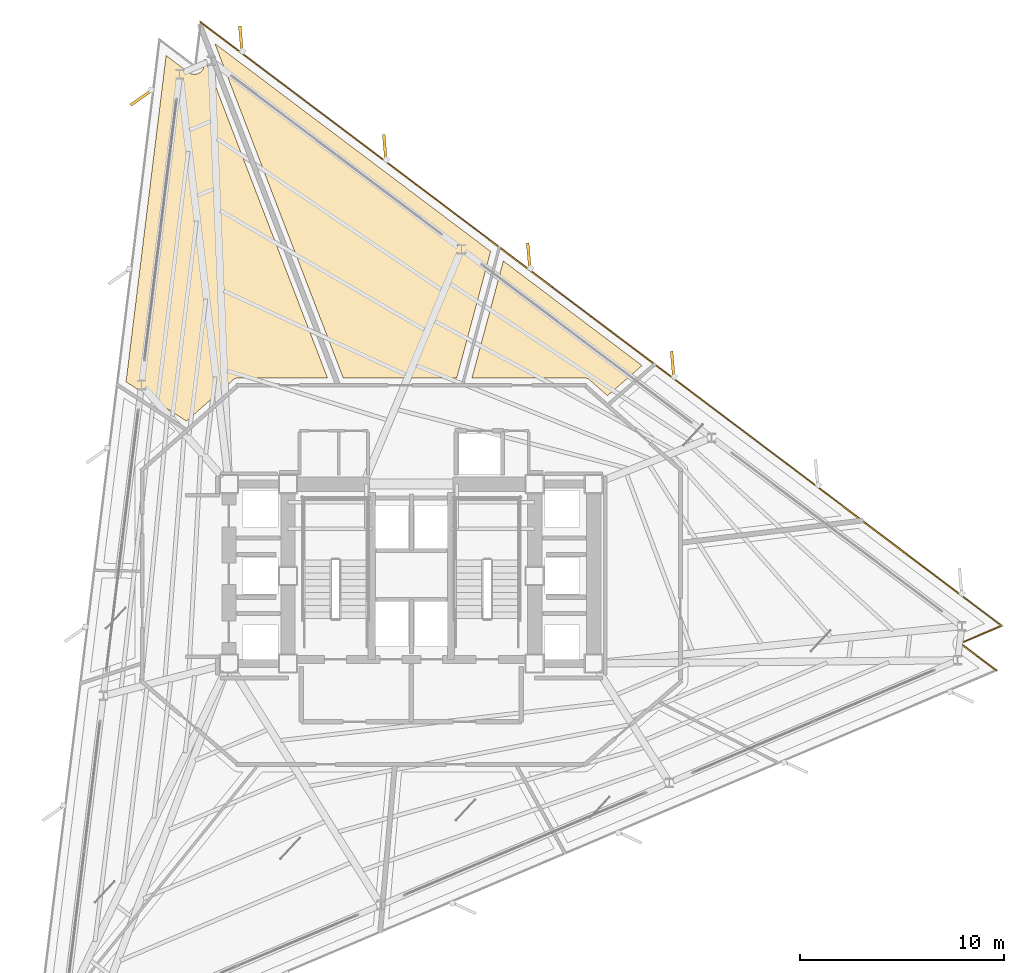
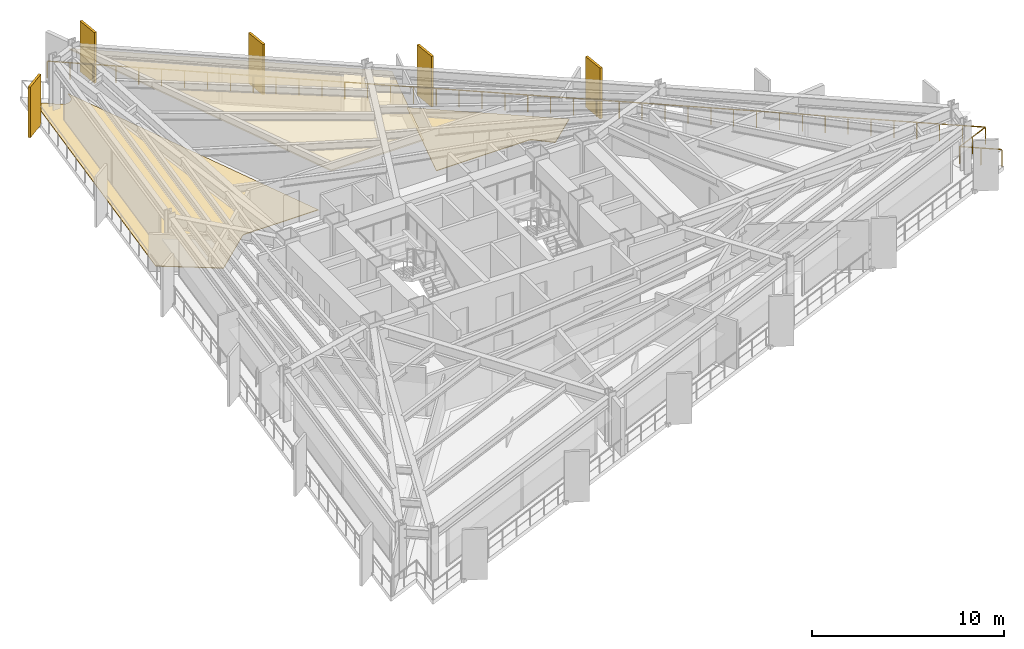
# One storey, part 13 of 13: 5 shading devices, 3 coverings, 1 railing.
"""IFC4 building model written with IfcOpenShell, lengths in metres."""

import ifcopenshell
import ifcopenshell.guid

model = None  # the IFC model being written
_history = None  # IfcOwnerHistory: only IFC2X3 demands one
_inside = {}  # id of a spatial element -> (the spatial element, [elements in it])
_under = {}  # id of a project, library or spatial element -> (it, [spatial elements below it])
_declared = {}  # id of a project -> (the project, [libraries it declares])
_typed = {}  # id of a type object -> (the type object, [elements of that type])
_made_of = {}  # id of a material, layer set ... -> (it, [elements and type objects made of it])


def new_model(schema):
    """Start an empty IFC model of exactly this schema.

    Asked for "IFC4X3", IfcOpenShell would pick the latest addendum, in which some entities
    have other attributes; the version numbers below select the first issue.
    IFC2X3 requires an IfcOwnerHistory on every rooted entity: one is made here for all.
    """
    global model, _history
    if schema == "IFC4X3":
        model = ifcopenshell.file(schema_version=(4, 3, 0, 0))
    else:
        model = ifcopenshell.file(schema=schema)
    _inside.clear()
    _under.clear()
    _declared.clear()
    _typed.clear()
    _made_of.clear()
    _history = None
    if model.schema == "IFC2X3":
        org = make("IfcOrganization", Name="unknown")
        user = make(
            "IfcPersonAndOrganization",
            ThePerson=make("IfcPerson", FamilyName="unknown"),
            TheOrganization=org,
        )
        app = make(
            "IfcApplication",
            ApplicationDeveloper=org,
            Version="unknown",
            ApplicationFullName="unknown",
            ApplicationIdentifier="unknown",
        )
        _history = make(
            "IfcOwnerHistory",
            OwningUser=user,
            OwningApplication=app,
            ChangeAction="ADDED",
            CreationDate=0,
        )
    return model


def make(cls, **values):
    """One entity of the class cls with the attributes given. An attribute that is None is left unset."""
    return model.create_entity(
        cls, **{name: value for name, value in values.items() if value is not None}
    )


def rooted(cls, **values):
    """An entity with a GlobalId (a new one), such as an element, a storey or a relation."""
    return make(cls, GlobalId=ifcopenshell.guid.new(), OwnerHistory=_history, **values)


def si_unit(unit_type, name, prefix=None):
    """IfcSIUnit, for example si_unit("LENGTHUNIT", "METRE", prefix="MILLI")."""
    return make("IfcSIUnit", UnitType=unit_type, Prefix=prefix, Name=name)


def assignment(units):
    """IfcUnitAssignment: the units of a project."""
    return None if units is None else make("IfcUnitAssignment", Units=units)


def point(xyz):
    """IfcCartesianPoint."""
    return None if xyz is None else make("IfcCartesianPoint", Coordinates=xyz)


def direction(xyz):
    """IfcDirection."""
    return None if xyz is None else make("IfcDirection", DirectionRatios=xyz)


def frame(location, z_axis=None, x_axis=None):
    """IfcAxis2Placement3D, a coordinate frame: its origin and axes. An axis left out is left unset."""
    return make(
        "IfcAxis2Placement3D",
        Location=point(location),
        Axis=direction(z_axis),
        RefDirection=direction(x_axis),
    )


def frame_2d(location, x_axis=None):
    """IfcAxis2Placement2D, a coordinate frame in the plane: its origin and x axis."""
    return make(
        "IfcAxis2Placement2D", Location=point(location), RefDirection=direction(x_axis)
    )


def origin():
    """The frame at (0, 0, 0) with its axes left unset."""
    return frame((0.0, 0.0, 0.0))


def origin_2d():
    """The frame at (0, 0) in the plane with its x axis left unset."""
    return frame_2d((0.0, 0.0))


def place(relative_to, where):
    """IfcLocalPlacement: puts the frame where relative to a parent placement (None: the world)."""
    return make(
        "IfcLocalPlacement", PlacementRelTo=relative_to, RelativePlacement=where
    )


def context(
    kind, dimensions, precision=None, world=None, true_north=None, identifier=None
):
    """IfcGeometricRepresentationContext, for example the 3D "Model" context."""
    return make(
        "IfcGeometricRepresentationContext",
        ContextIdentifier=identifier,
        ContextType=kind,
        CoordinateSpaceDimension=dimensions,
        Precision=precision,
        WorldCoordinateSystem=world,
        TrueNorth=true_north,
    )


def subcontext(parent, identifier, kind, view, scale=None):
    """IfcGeometricRepresentationSubContext, for example "Body" below "Model"."""
    return make(
        "IfcGeometricRepresentationSubContext",
        ContextIdentifier=identifier,
        ContextType=kind,
        ParentContext=parent,
        TargetScale=scale,
        TargetView=view,
    )


def project(units=None, contexts=None):
    """IfcProject with its units and contexts."""
    return rooted(
        "IfcProject",
        Name="project",
        RepresentationContexts=contexts,
        UnitsInContext=assignment(units),
    )


def spatial(cls, under=None, at=None, **own):
    """A site, building, storey or space (cls), placed at a placement, below another one or the project."""
    s = rooted(cls, ObjectPlacement=at, **own)
    if under is not None:
        _under.setdefault(under.id(), (under, []))[1].append(s)
    return s


def polyline(points):
    """IfcPolyline through the points."""
    return make("IfcPolyline", Points=[point(p) for p in points])


def profile(cls, at=None, kind="AREA", **sizes):
    """A parametric profile (cls). Its sizes go by their IFC names, for example OverallWidth=200.0."""
    return make(cls, ProfileType=kind, Position=at, **sizes)


def rectangle(**sizes):
    """IfcRectangleProfileDef."""
    return profile("IfcRectangleProfileDef", **sizes)


def outline(outer, holes=None, kind="AREA"):
    """IfcArbitraryClosedProfileDef: a profile drawn as a closed curve; with holes, ...WithVoids."""
    if holes is None:
        return make("IfcArbitraryClosedProfileDef", ProfileType=kind, OuterCurve=outer)
    return make(
        "IfcArbitraryProfileDefWithVoids",
        ProfileType=kind,
        OuterCurve=outer,
        InnerCurves=holes,
    )


def extrude(swept, where, along, depth):
    """IfcExtrudedAreaSolid: the profile swept, set in the frame where, extruded along a direction by depth."""
    return make(
        "IfcExtrudedAreaSolid",
        SweptArea=swept,
        Position=where,
        ExtrudedDirection=direction(along),
        Depth=depth,
    )


def shape(context_of_items, identifier, shape_type, items):
    """IfcShapeRepresentation: the items that make up one representation, for example the "Body"."""
    return make(
        "IfcShapeRepresentation",
        ContextOfItems=context_of_items,
        RepresentationIdentifier=identifier,
        RepresentationType=shape_type,
        Items=items,
    )


def material(Name=None, Category=None):
    """IfcMaterial."""
    return make("IfcMaterial", Name=Name, Category=Category)


def layer(
    of_material, thickness, ventilated=None, Name=None, Category=None, Priority=None
):
    """IfcMaterialLayer: one layer of a wall or slab, of a material (None: an air gap)."""
    return make(
        "IfcMaterialLayer",
        Material=of_material,
        LayerThickness=thickness,
        IsVentilated=ventilated,
        Name=Name,
        Category=Category,
        Priority=Priority,
    )


def layer_set(layers, Name=None):
    """IfcMaterialLayerSet."""
    return make("IfcMaterialLayerSet", MaterialLayers=layers, LayerSetName=Name)


def made_of(thing, what):
    """Note that an element or type object is made of a material, layer set ...; save() writes the relation."""
    if what is not None:
        _made_of.setdefault(what.id(), (what, []))[1].append(thing)
    return thing


def type_object(cls, material=None, **own):
    """A type object (cls), such as IfcWallType, which elements share."""
    return made_of(rooted(cls, **own), material)


def element(
    cls,
    number,
    at=None,
    inside=None,
    cuts=None,
    type_object=None,
    material=None,
    context=None,
    identifier="Body",
    shape_type=None,
    held_by="IfcProductDefinitionShape",
    body=None,
    shapes=None,
    **own,
):
    """One element of the class cls, such as IfcWall. Its Tag is "e" and its number.

    at: its placement. inside: the storey or other place that contains it. cuts: it is an
    opening in that element (IfcRelVoidsElement). A single representation is given by context,
    identifier, shape_type and body (its items); several are given by shapes. held_by: the class
    of the entity that holds the representations. save() writes the other relations.
    """
    e = rooted(cls, Tag="e%d" % number, ObjectPlacement=at, **own)
    if body is not None:
        shapes = [shape(context, identifier, shape_type, body)]
    if shapes is not None:
        e.Representation = make(held_by, Representations=shapes)
    if inside is not None:
        _inside.setdefault(inside.id(), (inside, []))[1].append(e)
    if cuts is not None:
        rooted(
            "IfcRelVoidsElement", RelatingBuildingElement=cuts, RelatedOpeningElement=e
        )
    if type_object is not None:
        _typed.setdefault(type_object.id(), (type_object, []))[1].append(e)
    return made_of(e, material)


def aggregate(whole, parts):
    """IfcRelAggregates: a whole, such as a stair, and the parts it consists of."""
    return rooted("IfcRelAggregates", RelatingObject=whole, RelatedObjects=parts)


def save(model, path):
    """Write the relations noted so far, then the file.

    IfcRelAggregates (storeys below a building ...), IfcRelContainedInSpatialStructure (elements
    in a storey), IfcRelDefinesByType, IfcRelAssociatesMaterial and IfcRelDeclares: one each for
    every whole, place, type object, material and project.
    """
    for whole, parts in _under.values():
        aggregate(whole, parts)
    for where, things in _inside.values():
        rooted(
            "IfcRelContainedInSpatialStructure",
            RelatedElements=things,
            RelatingStructure=where,
        )
    for kind, things in _typed.values():
        rooted("IfcRelDefinesByType", RelatedObjects=things, RelatingType=kind)
    for what, things in _made_of.values():
        rooted("IfcRelAssociatesMaterial", RelatedObjects=things, RelatingMaterial=what)
    for by, libraries in _declared.values():
        rooted("IfcRelDeclares", RelatingContext=by, RelatedDefinitions=libraries)
    model.write(path)


model = new_model("IFC4")

# Units and contexts
model_context = context("Model", 3, precision=1e-05, world=origin(), true_north=direction((0.0, 1.0)))
body_context = subcontext(model_context, "Body", "Model", "MODEL_VIEW")
ifc_project = project(units=[si_unit("LENGTHUNIT", "METRE"), si_unit("AREAUNIT", "SQUARE_METRE"), si_unit("VOLUMEUNIT", "CUBIC_METRE"), si_unit("PLANEANGLEUNIT", "RADIAN"), si_unit("MASSUNIT", "GRAM", prefix="KILO")], contexts=[model_context])

# Site, building, storey
site_placement = place(None, origin())
site = spatial("IfcSite", under=ifc_project, at=site_placement, CompositionType="ELEMENT")
building_placement = place(site_placement, origin())
building = spatial("IfcBuilding", under=site, at=building_placement, Name="Rocaltana Carrier Exchange", CompositionType="ELEMENT")
storey_placement = place(building_placement, frame((0.0, 0.0, 59.679931640625)))
storey = spatial("IfcBuildingStorey", under=building, at=storey_placement, Name="L18", CompositionType="ELEMENT", Elevation=59.679931640625)

# Coverings
ifc_material_1 = material(Name="Honed Bogota Sandstone Tile", Category="masonry")
ifc_layer_1 = layer(ifc_material_1, 0.0400390625)
ifc_layer_set_1 = layer_set([ifc_layer_1], Name="Honed Bogota Sandstone Tile")
covering_type_1 = type_object("IfcCoveringType", Name="Honed Stone Lobby Flooring 40", PredefinedType="FLOORING", material=ifc_layer_set_1)
covering_1_placement = place(storey_placement, origin())
element("IfcCovering", 1, at=covering_1_placement, inside=storey, type_object=covering_type_1, Name="L18 Quiet Focus Lounge Finish Floor", PredefinedType="FLOORING", context=body_context, shape_type="SweptSolid", body=[
    extrude(outline(polyline([(11.31884765625, 10.31640625), (9.62109375, 8.84033203125), (8.73828125, 9.619873046875), (8.727294921875, 9.629150390625), (8.720703125, 9.63427734375), (8.697265625, 9.651123046875), (8.690185546875, 9.655517578125), (8.6650390625, 9.669921875), (8.65771484375, 9.673583984375), (8.631103515625, 9.68505859375), (8.62353515625, 9.68798828125), (8.595947265625, 9.697021484375), (8.587890625, 9.698974609375), (8.5595703125, 9.704833984375), (8.551513671875, 9.706298828125), (8.522705078125, 9.709228515625), (8.514404296875, 9.709716796875), (8.5, 9.7099609375), (2.974609375, 9.7099609375), (4.511474609375, 15.44580078125), (11.31884765625, 10.31640625)])), origin(), (0.0, 0.0, 1.0), 0.0400390625),
])
covering_2_placement = place(storey_placement, origin())
element("IfcCovering", 2, at=covering_2_placement, inside=storey, type_object=covering_type_1, Name="L18 Client Reception Foyer Finish Floor", PredefinedType="FLOORING", context=body_context, shape_type="SweptSolid", body=[
    extrude(outline(polyline([(-12.02978515625, 25.52490234375), (-10.936767578125, 24.701416015625), (-10.92529296875, 24.693115234375), (-10.90869140625, 24.681884765625), (-10.885009765625, 24.66748046875), (-10.867431640625, 24.657958984375), (-10.84228515625, 24.64599609375), (-10.823974609375, 24.63818359375), (-10.797607421875, 24.628662109375), (-10.778564453125, 24.622802734375), (-10.75146484375, 24.6162109375), (-10.73193359375, 24.6123046875), (-10.704345703125, 24.608154296875), (-10.6845703125, 24.606201171875), (-10.656494140625, 24.604736328125), (-10.63671875, 24.60498046875), (-10.60888671875, 24.606201171875), (-10.5888671875, 24.6083984375), (-10.561279296875, 24.612548828125), (-10.541748046875, 24.61669921875), (-10.514892578125, 24.62353515625), (-10.49560546875, 24.62939453125), (-10.469482421875, 24.63916015625), (-10.451171875, 24.64697265625), (-10.426025390625, 24.6591796875), (-10.40869140625, 24.668701171875), (-10.384765625, 24.683349609375), (-10.368408203125, 24.694580078125), (-10.34619140625, 24.71142578125), (-10.330810546875, 24.724365234375), (-10.310546875, 24.743408203125), (-10.296630859375, 24.757568359375), (-10.2783203125, 24.778564453125), (-10.265869140625, 24.794189453125), (-10.24951171875, 24.81689453125), (-10.23876953125, 24.833740234375), (-10.224853515625, 24.85791015625), (-10.2158203125, 24.875732421875), (-10.204345703125, 24.901123046875), (-10.197265625, 24.919677734375), (-10.188232421875, 24.9462890625), (-10.18310546875, 24.96533203125), (-10.1767578125, 24.99267578125), (-10.17333984375, 25.01220703125), (-10.17138671875, 25.026123046875), (-10.1279296875, 25.379638671875), (-4.11279296875, 9.7099609375), (-8.5, 9.7099609375), (-8.514404296875, 9.709716796875), (-8.522705078125, 9.709228515625), (-8.551513671875, 9.706298828125), (-8.5595703125, 9.704833984375), (-8.587890625, 9.698974609375), (-8.595947265625, 9.697021484375), (-8.62353515625, 9.68798828125), (-8.631103515625, 9.68505859375), (-8.65771484375, 9.673583984375), (-8.6650390625, 9.669921875), (-8.690185546875, 9.655517578125), (-8.697265625, 9.651123046875), (-8.720703125, 9.63427734375), (-8.727294921875, 9.629150390625), (-8.73828125, 9.619873046875), (-11.03271484375, 7.593994140625), (-13.9951171875, 9.517822265625), (-12.02978515625, 25.52490234375)])), origin(), (0.0, 0.0, 1.0), 0.0400390625),
])
ifc_material_2 = material(Name="Anodised Aluminium 6063-T6", Category="aluminium")
ifc_layer_2 = layer(ifc_material_2, 0.0849609375)
ifc_layer_set_2 = layer_set([ifc_layer_2], Name="Anodised Aluminium 6063-T6")
covering_type_2 = type_object("IfcCoveringType", Name="Linear Baffle Acoustic Ceiling 85", PredefinedType="CEILING", material=ifc_layer_set_2)
covering_3_placement = place(storey_placement, frame((0.0, 0.0, 2.203125)))
element("IfcCovering", 3, at=covering_3_placement, inside=storey, type_object=covering_type_2, Name="L18 Carrier Peering Suite Acoustic Ceiling", PredefinedType="CEILING", context=body_context, shape_type="SweptSolid", body=[
    extrude(outline(polyline([(-9.6357421875, 26.106689453125), (3.89111328125, 15.913330078125), (2.22900390625, 9.7099609375), (-3.341796875, 9.7099609375), (-9.6357421875, 26.106689453125)])), origin(), (0.0, 0.0, 1.0), 0.0849609375),
])

# Shading devices
ifc_material_3 = material(Name="Honed Bogota Sandstone & Concrete C45/55", Category="masonry")
ifc_layer_3 = layer(ifc_material_3, 0.139892578125)
ifc_layer_set_3 = layer_set([ifc_layer_3], Name="Honed Bogota Sandstone & Concrete C45/55")
shading_device_type = type_object("IfcShadingDeviceType", Name="Vertical Sandstone Shading Fin 1320x140", PredefinedType="USERDEFINED", material=ifc_layer_set_3)
for number, where, z_axis, x_axis, name in (
    (4, (12.822509765625, 10.361083984375, -0.1201171875), (0.0, 0.0, 1.0), (-0.087155742748, 0.996194698092, 0.0), "L18 Sandstone Vertical Fin F1-03"),
    (5, (5.7626953125, 15.680908203125, -0.1201171875), (0.0, 0.0, 1.0), (-0.087155742748, 0.996194698092, 0.0), "L18 Sandstone Vertical Fin F1-04"),
    (6, (-1.29736328125, 21.001220703125, -0.1201171875), (0.0, 0.0, 1.0), (-0.087155742748, 0.996194698092, 0.0), "L18 Sandstone Vertical Fin F1-05"),
    (7, (-8.357421875, 26.321044921875, -0.1201171875), (0.0, 0.0, 1.0), (-0.087155742748, 0.996194698092, 0.0), "L18 Sandstone Vertical Fin F1-06"),
    (8, (-13.2294921875, 23.472412109375, -0.1201171875), (0.0, 0.0, 1.0), (-0.819152044289, -0.573576436351, 0.0), "L18 Sandstone Vertical Fin F2-01"),
):
    element("IfcShadingDevice", number, at=place(storey_placement, frame(where, z_axis=z_axis, x_axis=x_axis)), inside=storey, type_object=shading_device_type, Name=name, ObjectType="FIN", PredefinedType="USERDEFINED", context=body_context, shape_type="SweptSolid", body=[
        extrude(rectangle(XDim=1.320068359375, YDim=0.139892578125, at=origin_2d()), origin(), (0.0, 0.0, 1.0), 3.218017578125),
    ])

# Railing
ifc_material_4 = material(Name="Powder-Coated Aluminium 6063-T6", Category="aluminium")
ifc_layer_4 = layer(ifc_material_4, 0.06005859375)
ifc_layer_set_4 = layer_set([ifc_layer_4], Name="Powder-Coated Aluminium 6063-T6")
railing_type = type_object("IfcRailingType", Name="Wind-Floor & Terrace Perimeter Guardrail 1100", PredefinedType="GUARDRAIL", material=ifc_layer_set_4)
railing_placement = place(storey_placement, frame((-10.332763671875, 27.15771484375, 0.0)))
element("IfcRailing", 9, at=railing_placement, inside=storey, type_object=railing_type, Name="L18 Perimeter Balcony Guardrail 3", PredefinedType="GUARDRAIL", context=body_context, shape_type="SweptSolid", body=[
    extrude(rectangle(XDim=0.048095703125, YDim=0.048095703125, at=origin_2d()), frame((0.0, 0.0, 1.076171875), z_axis=(0.798636489562, -0.60181372329, 0.0), x_axis=(0.60181372329, 0.798636489562, 0.0)), (0.0, 0.0, 1.0), 49.192138671875),
    extrude(rectangle(XDim=0.048095703125, YDim=0.048095703125, at=origin_2d()), frame((39.28662109375, -29.6044921875, 1.076171875), z_axis=(-0.92050559585, -0.390729379504, 0.0), x_axis=(0.390729379504, -0.92050559585, 0.0)), (0.0, 0.0, 1.0), 2.199951171875),
    extrude(rectangle(XDim=0.048095703125, YDim=0.048095703125, at=origin_2d()), frame((37.261474609375, -30.464111328125, 1.076171875), z_axis=(0.798653030423, -0.601791772125, 0.0), x_axis=(0.601791772125, 0.798653030423, 0.0)), (0.0, 0.0, 1.0), 2.199951171875),
    extrude(rectangle(XDim=0.0419921875, YDim=0.0419921875, at=origin_2d()), origin(), (0.0, 0.0, 1.0), 1.052001953125),
    extrude(rectangle(XDim=0.0419921875, YDim=0.0419921875, at=origin_2d()), frame((0.958251953125, -0.72216796875, 0.0)), (0.0, 0.0, 1.0), 1.052001953125),
    extrude(rectangle(XDim=0.0419921875, YDim=0.0419921875, at=origin_2d()), frame((1.91650390625, -1.444091796875, 0.0)), (0.0, 0.0, 1.0), 1.052001953125),
    extrude(rectangle(XDim=0.0419921875, YDim=0.0419921875, at=origin_2d()), frame((2.87451171875, -2.166259765625, 0.0)), (0.0, 0.0, 1.0), 1.052001953125),
    extrude(rectangle(XDim=0.0419921875, YDim=0.0419921875, at=origin_2d()), frame((3.832763671875, -2.88818359375, 0.0)), (0.0, 0.0, 1.0), 1.052001953125),
    extrude(rectangle(XDim=0.0419921875, YDim=0.0419921875, at=origin_2d()), frame((4.791015625, -3.6103515625, 0.0)), (0.0, 0.0, 1.0), 1.052001953125),
    extrude(rectangle(XDim=0.0419921875, YDim=0.0419921875, at=origin_2d()), frame((5.749267578125, -4.332275390625, 0.0)), (0.0, 0.0, 1.0), 1.052001953125),
    extrude(rectangle(XDim=0.0419921875, YDim=0.0419921875, at=origin_2d()), frame((6.70751953125, -5.054443359375, 0.0)), (0.0, 0.0, 1.0), 1.052001953125),
    extrude(rectangle(XDim=0.0419921875, YDim=0.0419921875, at=origin_2d()), frame((7.665771484375, -5.7763671875, 0.0)), (0.0, 0.0, 1.0), 1.052001953125),
    extrude(rectangle(XDim=0.0419921875, YDim=0.0419921875, at=origin_2d()), frame((8.623779296875, -6.49853515625, 0.0)), (0.0, 0.0, 1.0), 1.052001953125),
    extrude(rectangle(XDim=0.0419921875, YDim=0.0419921875, at=origin_2d()), frame((9.58203125, -7.220703125, 0.0)), (0.0, 0.0, 1.0), 1.052001953125),
    extrude(rectangle(XDim=0.0419921875, YDim=0.0419921875, at=origin_2d()), frame((10.540283203125, -7.942626953125, 0.0)), (0.0, 0.0, 1.0), 1.052001953125),
    extrude(rectangle(XDim=0.0419921875, YDim=0.0419921875, at=origin_2d()), frame((11.49853515625, -8.664794921875, 0.0)), (0.0, 0.0, 1.0), 1.052001953125),
    extrude(rectangle(XDim=0.0419921875, YDim=0.0419921875, at=origin_2d()), frame((12.456787109375, -9.38671875, 0.0)), (0.0, 0.0, 1.0), 1.052001953125),
    extrude(rectangle(XDim=0.0419921875, YDim=0.0419921875, at=origin_2d()), frame((13.4150390625, -10.10888671875, 0.0)), (0.0, 0.0, 1.0), 1.052001953125),
    extrude(rectangle(XDim=0.0419921875, YDim=0.0419921875, at=origin_2d()), frame((14.373046875, -10.830810546875, 0.0)), (0.0, 0.0, 1.0), 1.052001953125),
    extrude(rectangle(XDim=0.0419921875, YDim=0.0419921875, at=origin_2d()), frame((15.331298828125, -11.552978515625, 0.0)), (0.0, 0.0, 1.0), 1.052001953125),
    extrude(rectangle(XDim=0.0419921875, YDim=0.0419921875, at=origin_2d()), frame((16.28955078125, -12.275146484375, 0.0)), (0.0, 0.0, 1.0), 1.052001953125),
    extrude(rectangle(XDim=0.0419921875, YDim=0.0419921875, at=origin_2d()), frame((17.247802734375, -12.9970703125, 0.0)), (0.0, 0.0, 1.0), 1.052001953125),
    extrude(rectangle(XDim=0.0419921875, YDim=0.0419921875, at=origin_2d()), frame((18.2060546875, -13.71923828125, 0.0)), (0.0, 0.0, 1.0), 1.052001953125),
    extrude(rectangle(XDim=0.0419921875, YDim=0.0419921875, at=origin_2d()), frame((19.164306640625, -14.441162109375, 0.0)), (0.0, 0.0, 1.0), 1.052001953125),
    extrude(rectangle(XDim=0.0419921875, YDim=0.0419921875, at=origin_2d()), frame((20.122314453125, -15.163330078125, 0.0)), (0.0, 0.0, 1.0), 1.052001953125),
    extrude(rectangle(XDim=0.0419921875, YDim=0.0419921875, at=origin_2d()), frame((21.08056640625, -15.88525390625, 0.0)), (0.0, 0.0, 1.0), 1.052001953125),
    extrude(rectangle(XDim=0.0419921875, YDim=0.0419921875, at=origin_2d()), frame((22.038818359375, -16.607421875, 0.0)), (0.0, 0.0, 1.0), 1.052001953125),
    extrude(rectangle(XDim=0.0419921875, YDim=0.0419921875, at=origin_2d()), frame((22.9970703125, -17.329345703125, 0.0)), (0.0, 0.0, 1.0), 1.052001953125),
    extrude(rectangle(XDim=0.0419921875, YDim=0.0419921875, at=origin_2d()), frame((23.955322265625, -18.051513671875, 0.0)), (0.0, 0.0, 1.0), 1.052001953125),
    extrude(rectangle(XDim=0.0419921875, YDim=0.0419921875, at=origin_2d()), frame((24.91357421875, -18.773681640625, 0.0)), (0.0, 0.0, 1.0), 1.052001953125),
    extrude(rectangle(XDim=0.0419921875, YDim=0.0419921875, at=origin_2d()), frame((25.87158203125, -19.49560546875, 0.0)), (0.0, 0.0, 1.0), 1.052001953125),
    extrude(rectangle(XDim=0.0419921875, YDim=0.0419921875, at=origin_2d()), frame((26.829833984375, -20.2177734375, 0.0)), (0.0, 0.0, 1.0), 1.052001953125),
    extrude(rectangle(XDim=0.0419921875, YDim=0.0419921875, at=origin_2d()), frame((27.7880859375, -20.939697265625, 0.0)), (0.0, 0.0, 1.0), 1.052001953125),
    extrude(rectangle(XDim=0.0419921875, YDim=0.0419921875, at=origin_2d()), frame((28.746337890625, -21.661865234375, 0.0)), (0.0, 0.0, 1.0), 1.052001953125),
    extrude(rectangle(XDim=0.0419921875, YDim=0.0419921875, at=origin_2d()), frame((29.70458984375, -22.3837890625, 0.0)), (0.0, 0.0, 1.0), 1.052001953125),
    extrude(rectangle(XDim=0.0419921875, YDim=0.0419921875, at=origin_2d()), frame((30.662841796875, -23.10595703125, 0.0)), (0.0, 0.0, 1.0), 1.052001953125),
    extrude(rectangle(XDim=0.0419921875, YDim=0.0419921875, at=origin_2d()), frame((31.620849609375, -23.828125, 0.0)), (0.0, 0.0, 1.0), 1.052001953125),
    extrude(rectangle(XDim=0.0419921875, YDim=0.0419921875, at=origin_2d()), frame((32.5791015625, -24.550048828125, 0.0)), (0.0, 0.0, 1.0), 1.052001953125),
    extrude(rectangle(XDim=0.0419921875, YDim=0.0419921875, at=origin_2d()), frame((33.537353515625, -25.272216796875, 0.0)), (0.0, 0.0, 1.0), 1.052001953125),
    extrude(rectangle(XDim=0.0419921875, YDim=0.0419921875, at=origin_2d()), frame((34.49560546875, -25.994140625, 0.0)), (0.0, 0.0, 1.0), 1.052001953125),
    extrude(rectangle(XDim=0.0419921875, YDim=0.0419921875, at=origin_2d()), frame((35.453857421875, -26.71630859375, 0.0)), (0.0, 0.0, 1.0), 1.052001953125),
    extrude(rectangle(XDim=0.0419921875, YDim=0.0419921875, at=origin_2d()), frame((36.412109375, -27.438232421875, 0.0)), (0.0, 0.0, 1.0), 1.052001953125),
    extrude(rectangle(XDim=0.0419921875, YDim=0.0419921875, at=origin_2d()), frame((37.3701171875, -28.160400390625, 0.0)), (0.0, 0.0, 1.0), 1.052001953125),
    extrude(rectangle(XDim=0.0419921875, YDim=0.0419921875, at=origin_2d()), frame((38.328369140625, -28.88232421875, 0.0)), (0.0, 0.0, 1.0), 1.052001953125),
    extrude(rectangle(XDim=0.0419921875, YDim=0.0419921875, at=origin_2d()), frame((39.28662109375, -29.6044921875, 0.0)), (0.0, 0.0, 1.0), 1.052001953125),
    extrude(rectangle(XDim=0.0419921875, YDim=0.0419921875, at=origin_2d()), frame((38.27392578125, -30.0341796875, 0.0)), (0.0, 0.0, 1.0), 1.052001953125),
    extrude(rectangle(XDim=0.0419921875, YDim=0.0419921875, at=origin_2d()), frame((37.261474609375, -30.464111328125, 0.0)), (0.0, 0.0, 1.0), 1.052001953125),
    extrude(rectangle(XDim=0.0419921875, YDim=0.0419921875, at=origin_2d()), frame((38.14013671875, -31.1259765625, 0.0)), (0.0, 0.0, 1.0), 1.052001953125),
    extrude(rectangle(XDim=0.0419921875, YDim=0.0419921875, at=origin_2d()), frame((39.0185546875, -31.7880859375, 0.0)), (0.0, 0.0, 1.0), 1.052001953125),
])

save(model, "model.ifc")
